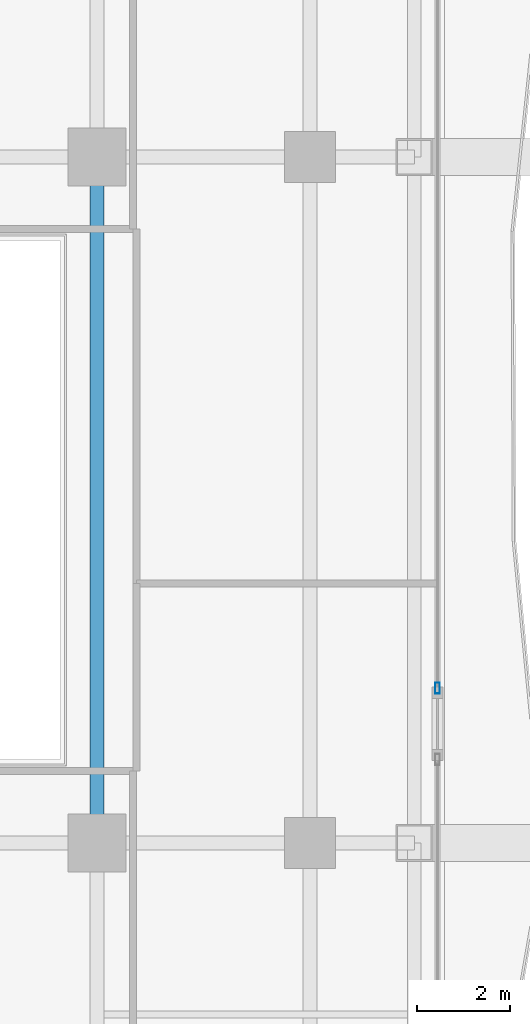
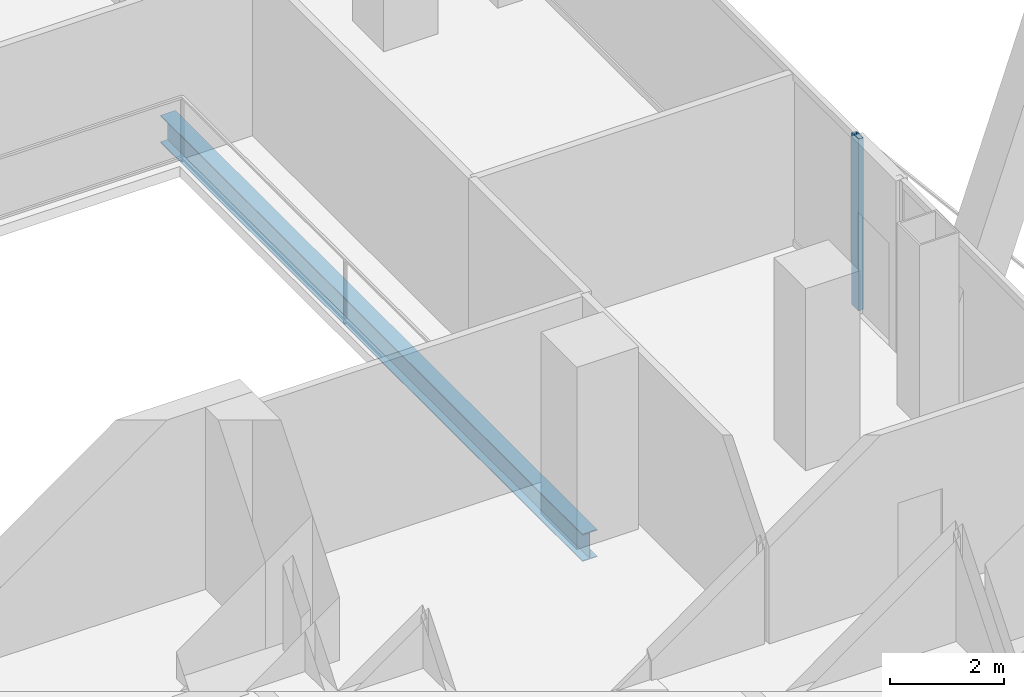
# One storey, part 13 of 32: 1 beam, 1 member, 1 element without a shape of its own.
"""IFC4 building model written with IfcOpenShell, lengths in metres."""

from ifc_helpers import new_model, si_unit, direction, frame, origin, origin_2d, place, context, subcontext, project, spatial, hollow_rectangle, i_section, extrude, material, layer, layer_set, material_profile, profile_set, type_object, element, aggregate, save


model = new_model("IFC4")

# Units and contexts
model_context = context("Model", 3, precision=1e-05, world=origin(), true_north=direction((0.0, 1.0)))
body_context = subcontext(model_context, "Body", "Model", "MODEL_VIEW")
ifc_project = project(units=[si_unit("LENGTHUNIT", "METRE"), si_unit("AREAUNIT", "SQUARE_METRE"), si_unit("VOLUMEUNIT", "CUBIC_METRE"), si_unit("PLANEANGLEUNIT", "RADIAN"), si_unit("MASSUNIT", "GRAM", prefix="KILO")], contexts=[model_context])

# Site, building, storey
site_placement = place(None, origin())
site = spatial("IfcSite", under=ifc_project, at=site_placement, CompositionType="ELEMENT")
building_placement = place(site_placement, origin())
building = spatial("IfcBuilding", under=site, at=building_placement, Name="Khorvyn Point Tower", CompositionType="ELEMENT")
storey_placement = place(building_placement, frame((0.0, 0.0, 93.0)))
storey = spatial("IfcBuildingStorey", under=building, at=storey_placement, Name="L23", CompositionType="ELEMENT", Elevation=93.0)

# Curtain wall, member
ifc_material_1 = material(Name="Anodised aluminium 6063-T6 and laminated Low-E glass", Category="aluminium")
ifc_layer = layer(ifc_material_1, 0.18994140625)
ifc_layer_set = layer_set([ifc_layer], Name="Stick-Built Finned Residential Curtain Wall CW-SYS-02")
curtain_wall_type = type_object("IfcCurtainWallType", Name="Stick-Built Finned Residential Curtain Wall CW-SYS-02", PredefinedType="NOTDEFINED", material=ifc_layer_set)
curtain_wall_placement = place(storey_placement, origin())
curtain_wall = element("IfcCurtainWall", 1, at=curtain_wall_placement, inside=storey, type_object=curtain_wall_type, Name="Curtain Wall", PredefinedType="NOTDEFINED")
ifc_material_2 = material(Name="Anodised aluminium 6063-T6", Category="aluminium")
ifc_material_profile_1 = material_profile(ifc_material_2, hollow_rectangle(XDim=0.10009765625, YDim=0.239990234375, WallThickness=0.0048828125, at=origin_2d()))
ifc_profile_set_1 = profile_set([ifc_material_profile_1], Name="Anodised aluminium 6063-T6 ALU-MUL-100x240")
member_type = type_object("IfcMemberType", Name="Anodised Aluminium 6063-T6 Mullion ALU-MUL-100x240", PredefinedType="MULLION", material=ifc_profile_set_1)
member_placement = place(storey_placement, frame((22.14990234375, -4.06005859375, 0.0), z_axis=(0.0, 0.0, 1.0), x_axis=(1.0, 0.0, 0.0)))
member = element("IfcMember", 2, at=member_placement, type_object=member_type, Name="Transom", PredefinedType="MULLION", context=body_context, shape_type="SweptSolid", body=[
    extrude(hollow_rectangle(XDim=0.10009765625, YDim=0.239990234375, WallThickness=0.0048828125, at=origin_2d()), origin(), (0.0, 0.0, 1.0), 3.679931640625),
])
aggregate(curtain_wall, [member])

# Beam
ifc_material_3 = material(Name="Steel S355", Category="steel")
ifc_material_profile_2 = material_profile(ifc_material_3, i_section(OverallWidth=0.300048828125, OverallDepth=0.587890625, WebThickness=0.011962890625, FlangeThickness=0.02001953125, at=origin_2d()))
ifc_profile_set_2 = profile_set([ifc_material_profile_2], Name="Steel S355 H588x300x12x20")
beam_type = type_object("IfcBeamType", Name="Steel S355 Beam H588x300x12x20", PredefinedType="BEAM", material=ifc_profile_set_2)
beam_placement = place(storey_placement, frame((14.800048828125, -7.39990234375, -0.513916015625), z_axis=(0.0, 1.0, 0.0), x_axis=(-1.0, 0.0, 0.0)))
element("IfcBeam", 3, at=beam_placement, inside=storey, type_object=beam_type, Name="Beam", PredefinedType="BEAM", context=body_context, shape_type="SweptSolid", body=[
    extrude(i_section(OverallWidth=0.300048828125, OverallDepth=0.587890625, WebThickness=0.011962890625, FlangeThickness=0.02001953125, at=origin_2d()), origin(), (0.0, 0.0, 1.0), 14.7998046875),
])

save(model, "model.ifc")
